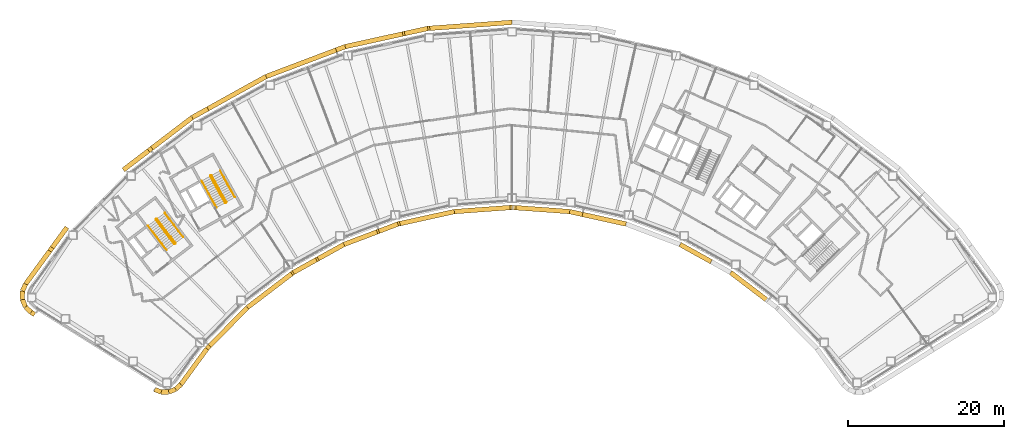
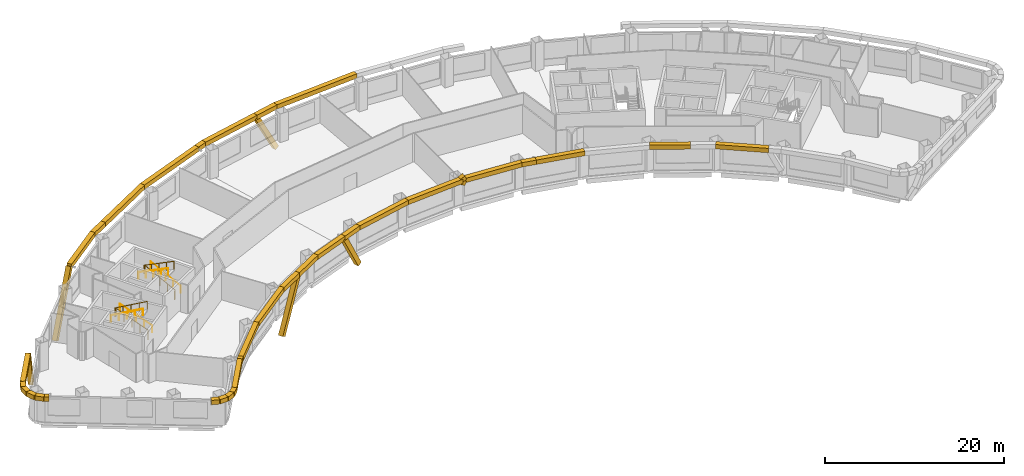
# One storey, part 11 of 13: 40 coverings, 6 railings.
"""IFC4 building model written with IfcOpenShell, lengths in metres."""

from ifc_helpers import new_model, si_unit, direction, frame, origin, origin_2d, place, context, subcontext, project, spatial, rectangle, circle, extrude, material, material_profile, profile_set, type_object, element, save


model = new_model("IFC4")

# Units and contexts
model_context = context("Model", 3, precision=1e-05, world=origin(), true_north=direction((0.0, 1.0)))
body_context = subcontext(model_context, "Body", "Model", "MODEL_VIEW")
ifc_project = project(units=[si_unit("LENGTHUNIT", "METRE"), si_unit("AREAUNIT", "SQUARE_METRE"), si_unit("VOLUMEUNIT", "CUBIC_METRE"), si_unit("PLANEANGLEUNIT", "RADIAN"), si_unit("MASSUNIT", "GRAM", prefix="KILO")], contexts=[model_context])

# Site, building, storey
site_placement = place(None, origin())
site = spatial("IfcSite", under=ifc_project, at=site_placement, CompositionType="ELEMENT")
building_placement = place(site_placement, origin())
building = spatial("IfcBuilding", under=site, at=building_placement, Name="Tuul Gate Civic Tower", CompositionType="ELEMENT")
storey_placement = place(building_placement, frame((0.0, 0.0, 111.89990234375)))
storey = spatial("IfcBuildingStorey", under=building, at=storey_placement, Name="Level 25", CompositionType="ELEMENT", Elevation=111.89990234375)

# Railings
ifc_material_1 = material(Name="Painted steel", Category="steel")
railing_type_1 = type_object("IfcRailingType", Name="Stair guard", PredefinedType="GUARDRAIL", material=ifc_material_1)
railing_1_placement = place(storey_placement, frame((-33.382080078125, -13.515380859375, 0.0)))
element("IfcRailing", 1, at=railing_1_placement, inside=storey, type_object=railing_type_1, Name="Level 25 ST-1 stair guard 1", PredefinedType="GUARDRAIL", context=body_context, shape_type="SweptSolid", body=[
    extrude(circle(Radius=0.02392578125, at=origin_2d()), frame((0.0, 0.0, 1.076171875), z_axis=(-0.795879841968, -0.605454603706, 0.0), x_axis=(0.605454603706, -0.795879841968, 0.0)), (0.0, 0.0, 1.0), 0.10009765625),
    extrude(circle(Radius=0.02392578125, at=origin_2d()), frame((-0.07958984375, -0.060546875, 1.076171875), z_axis=(0.408676696321, 0.599019267211, 0.688592241747), x_axis=(-0.826063974707, 0.563576356576, 0.0)), (0.0, 0.0, 1.0), 0.218017578125),
    extrude(circle(Radius=0.02392578125, at=origin_2d()), frame((0.009521484375, 0.070068359375, 1.22607421875), z_axis=(-0.541824460341, 0.711645023348, 0.447199748346), x_axis=(-0.795637165283, -0.60577347352, 0.0)), (0.0, 0.0, 1.0), 4.3603515625),
    extrude(circle(Radius=0.02392578125, at=origin_2d()), frame((-2.35302734375, 3.173095703125, 3.17626953125), z_axis=(-0.990893089246, 0.134650977284, 0.0), x_axis=(-0.134650977284, -0.990893089246, 0.0)), (0.0, 0.0, 1.0), 0.07080078125),
    extrude(circle(Radius=0.02392578125, at=origin_2d()), frame((-2.423095703125, 3.1826171875, 3.17626953125), z_axis=(-0.793802879778, -0.60817512943, 0.0), x_axis=(0.60817512943, -0.793802879778, 0.0)), (0.0, 0.0, 1.0), 0.099853515625),
    extrude(circle(Radius=0.02392578125, at=origin_2d()), frame((-2.50244140625, 3.121826171875, 3.17626953125), z_axis=(-0.057447065493, -0.422751481959, 0.904423031091), x_axis=(0.990893089246, -0.134650977284, 0.0)), (0.0, 0.0, 1.0), 0.165771484375),
    extrude(circle(Radius=0.02392578125, at=origin_2d()), frame((-2.511962890625, 3.0517578125, 3.326171875), z_axis=(0.541792925989, -0.711621155064, 0.447275929392), x_axis=(0.795644365679, 0.605764016233, 0.0)), (0.0, 0.0, 1.0), 4.360107421875),
    extrude(circle(Radius=0.02099609375, at=origin_2d()), origin(), (0.0, 0.0, 1.0), 1.052001953125),
    extrude(circle(Radius=0.02099609375, at=origin_2d()), frame((-0.07958984375, -0.060546875, 0.0)), (0.0, 0.0, 1.0), 1.052001953125),
    extrude(circle(Radius=0.02099609375, at=origin_2d()), frame((0.009521484375, 0.070068359375, 0.150146484375)), (0.0, 0.0, 1.0), 1.052001953125),
    extrude(circle(Radius=0.02099609375, at=origin_2d()), frame((-0.5810546875, 0.845703125, 0.6376953125)), (0.0, 0.0, 1.0), 1.052001953125),
    extrude(circle(Radius=0.02099609375, at=origin_2d()), frame((-1.171875, 1.62158203125, 1.125)), (0.0, 0.0, 1.0), 1.052001953125),
    extrude(circle(Radius=0.02099609375, at=origin_2d()), frame((-1.762451171875, 2.3974609375, 1.612548828125)), (0.0, 0.0, 1.0), 1.052001953125),
    extrude(circle(Radius=0.02099609375, at=origin_2d()), frame((-2.35302734375, 3.173095703125, 2.10009765625)), (0.0, 0.0, 1.0), 1.052001953125),
    extrude(circle(Radius=0.02099609375, at=origin_2d()), frame((-2.423095703125, 3.1826171875, 2.10009765625)), (0.0, 0.0, 1.0), 1.052001953125),
    extrude(circle(Radius=0.02099609375, at=origin_2d()), frame((-2.50244140625, 3.121826171875, 2.10009765625)), (0.0, 0.0, 1.0), 1.052001953125),
    extrude(circle(Radius=0.02099609375, at=origin_2d()), frame((-2.511962890625, 3.0517578125, 2.25)), (0.0, 0.0, 1.0), 1.052001953125),
    extrude(circle(Radius=0.02099609375, at=origin_2d()), frame((-1.92138671875, 2.276123046875, 2.737548828125)), (0.0, 0.0, 1.0), 1.052001953125),
    extrude(circle(Radius=0.02099609375, at=origin_2d()), frame((-1.330810546875, 1.50048828125, 3.22509765625)), (0.0, 0.0, 1.0), 1.052001953125),
    extrude(circle(Radius=0.02099609375, at=origin_2d()), frame((-0.740234375, 0.724609375, 3.712646484375)), (0.0, 0.0, 1.0), 1.052001953125),
    extrude(circle(Radius=0.02099609375, at=origin_2d()), frame((-0.149658203125, -0.051025390625, 4.2001953125)), (0.0, 0.0, 1.0), 1.052001953125),
])
railing_2_placement = place(storey_placement, frame((-26.857666015625, -8.247314453125, 0.0)))
element("IfcRailing", 2, at=railing_2_placement, inside=storey, type_object=railing_type_1, Name="Level 25 ST-2 stair guard 1", PredefinedType="GUARDRAIL", context=body_context, shape_type="SweptSolid", body=[
    extrude(circle(Radius=0.02392578125, at=origin_2d()), frame((0.0, 0.0, 1.076171875), z_axis=(-0.874616555828, -0.48481530532, 0.0), x_axis=(0.48481530532, -0.874616555828, 0.0)), (0.0, 0.0, 1.0), 0.10009765625),
    extrude(circle(Radius=0.02392578125, at=origin_2d()), frame((-0.087646484375, -0.048583984375, 1.076171875), z_axis=(0.490435707169, 0.534104639999, 0.688625479244), x_axis=(-0.736576986774, 0.676353711126, 0.0)), (0.0, 0.0, 1.0), 0.218017578125),
    extrude(circle(Radius=0.02392578125, at=origin_2d()), frame((0.019287109375, 0.06787109375, 1.22607421875), z_axis=(-0.43354991378, 0.782327185242, 0.447212083348), x_axis=(-0.874667644053, -0.484723129681, 0.0)), (0.0, 0.0, 1.0), 4.3603515625),
    extrude(circle(Radius=0.02392578125, at=origin_2d()), frame((-1.87109375, 3.47900390625, 3.17626953125), z_axis=(-0.961263487578, 0.275631107549, 0.0), x_axis=(-0.275631107549, -0.961263487578, 0.0)), (0.0, 0.0, 1.0), 0.07080078125),
    extrude(circle(Radius=0.02392578125, at=origin_2d()), frame((-1.939208984375, 3.49853515625, 3.17626953125), z_axis=(-0.874042088414, -0.485850211157, 0.0), x_axis=(0.485850211157, -0.874042088414, 0.0)), (0.0, 0.0, 1.0), 0.10009765625),
    extrude(circle(Radius=0.02392578125, at=origin_2d()), frame((-2.026611328125, 3.449951171875, 3.17626953125), z_axis=(-0.117866478395, -0.409586012422, 0.90462522168), x_axis=(0.961000426733, -0.276546885391, 0.0)), (0.0, 0.0, 1.0), 0.165771484375),
    extrude(circle(Radius=0.02392578125, at=origin_2d()), frame((-2.046142578125, 3.382080078125, 3.326171875), z_axis=(0.433584522764, -0.782288604346, 0.447246018574), x_axis=(0.874641102302, 0.484771020343, 0.0)), (0.0, 0.0, 1.0), 4.3603515625),
    extrude(circle(Radius=0.02099609375, at=origin_2d()), origin(), (0.0, 0.0, 1.0), 1.052001953125),
    extrude(circle(Radius=0.02099609375, at=origin_2d()), frame((-0.087646484375, -0.048583984375, 0.0)), (0.0, 0.0, 1.0), 1.052001953125),
    extrude(circle(Radius=0.02099609375, at=origin_2d()), frame((0.019287109375, 0.06787109375, 0.150146484375)), (0.0, 0.0, 1.0), 1.052001953125),
    extrude(circle(Radius=0.02099609375, at=origin_2d()), frame((-0.453369140625, 0.920654296875, 0.6376953125)), (0.0, 0.0, 1.0), 1.052001953125),
    extrude(circle(Radius=0.02099609375, at=origin_2d()), frame((-0.92578125, 1.7734375, 1.125)), (0.0, 0.0, 1.0), 1.052001953125),
    extrude(circle(Radius=0.02099609375, at=origin_2d()), frame((-1.3984375, 2.626220703125, 1.612548828125)), (0.0, 0.0, 1.0), 1.052001953125),
    extrude(circle(Radius=0.02099609375, at=origin_2d()), frame((-1.87109375, 3.47900390625, 2.10009765625)), (0.0, 0.0, 1.0), 1.052001953125),
    extrude(circle(Radius=0.02099609375, at=origin_2d()), frame((-1.939208984375, 3.49853515625, 2.10009765625)), (0.0, 0.0, 1.0), 1.052001953125),
    extrude(circle(Radius=0.02099609375, at=origin_2d()), frame((-2.026611328125, 3.449951171875, 2.10009765625)), (0.0, 0.0, 1.0), 1.052001953125),
    extrude(circle(Radius=0.02099609375, at=origin_2d()), frame((-2.046142578125, 3.382080078125, 2.25)), (0.0, 0.0, 1.0), 1.052001953125),
    extrude(circle(Radius=0.02099609375, at=origin_2d()), frame((-1.573486328125, 2.529296875, 2.737548828125)), (0.0, 0.0, 1.0), 1.052001953125),
    extrude(circle(Radius=0.02099609375, at=origin_2d()), frame((-1.100830078125, 1.676513671875, 3.22509765625)), (0.0, 0.0, 1.0), 1.052001953125),
    extrude(circle(Radius=0.02099609375, at=origin_2d()), frame((-0.628173828125, 0.82373046875, 3.712646484375)), (0.0, 0.0, 1.0), 1.052001953125),
    extrude(circle(Radius=0.02099609375, at=origin_2d()), frame((-0.155517578125, -0.029052734375, 4.2001953125)), (0.0, 0.0, 1.0), 1.052001953125),
])
ifc_material_2 = material(Name="Painted steel", Category="steel")
railing_type_2 = type_object("IfcRailingType", Name="Stair handrail", PredefinedType="HANDRAIL", material=ifc_material_2)
railing_3_placement = place(storey_placement, frame((-32.3779296875, -12.688232421875, 0.150146484375)))
element("IfcRailing", 3, at=railing_3_placement, inside=storey, type_object=railing_type_2, Name="Level 25 ST-1 stair handrail 1", PredefinedType="HANDRAIL", context=body_context, shape_type="SweptSolid", body=[
    extrude(circle(Radius=0.02392578125, at=origin_2d()), frame((0.0, 0.0, 0.8759765625), z_axis=(-0.541824460341, 0.711645023348, 0.447199748346), x_axis=(-0.795637165283, -0.60577347352, 0.0)), (0.0, 0.0, 1.0), 4.3603515625),
    extrude(circle(Radius=0.02099609375, at=origin_2d()), origin(), (0.0, 0.0, 1.0), 0.851806640625),
    extrude(circle(Radius=0.02099609375, at=origin_2d()), frame((-0.590576171875, 0.77587890625, 0.487548828125)), (0.0, 0.0, 1.0), 0.851806640625),
    extrude(circle(Radius=0.02099609375, at=origin_2d()), frame((-1.18115234375, 1.551513671875, 0.97509765625)), (0.0, 0.0, 1.0), 0.851806640625),
    extrude(circle(Radius=0.02099609375, at=origin_2d()), frame((-1.77197265625, 2.3271484375, 1.46240234375)), (0.0, 0.0, 1.0), 0.851806640625),
    extrude(circle(Radius=0.02099609375, at=origin_2d()), frame((-2.362548828125, 3.10302734375, 1.949951171875)), (0.0, 0.0, 1.0), 0.851806640625),
])
railing_4_placement = place(storey_placement, frame((-36.888671875, -11.220703125, 2.25)))
element("IfcRailing", 4, at=railing_4_placement, inside=storey, type_object=railing_type_2, Name="Level 25 ST-1 stair handrail 2", PredefinedType="HANDRAIL", context=body_context, shape_type="SweptSolid", body=[
    extrude(circle(Radius=0.02392578125, at=origin_2d()), frame((0.0, 0.0, 0.8759765625), z_axis=(0.541810893183, -0.711627203922, 0.44724454012), x_axis=(0.795637165283, 0.60577347352, 0.0)), (0.0, 0.0, 1.0), 4.3603515625),
    extrude(circle(Radius=0.02099609375, at=origin_2d()), origin(), (0.0, 0.0, 1.0), 0.851806640625),
    extrude(circle(Radius=0.02099609375, at=origin_2d()), frame((0.590576171875, -0.77587890625, 0.487548828125)), (0.0, 0.0, 1.0), 0.851806640625),
    extrude(circle(Radius=0.02099609375, at=origin_2d()), frame((1.18115234375, -1.551513671875, 0.97509765625)), (0.0, 0.0, 1.0), 0.851806640625),
    extrude(circle(Radius=0.02099609375, at=origin_2d()), frame((1.77197265625, -2.3271484375, 1.462646484375)), (0.0, 0.0, 1.0), 0.851806640625),
    extrude(circle(Radius=0.02099609375, at=origin_2d()), frame((2.362548828125, -3.10302734375, 1.9501953125)), (0.0, 0.0, 1.0), 0.851806640625),
])
railing_5_placement = place(storey_placement, frame((-25.744873046875, -7.573486328125, 0.150146484375)))
element("IfcRailing", 5, at=railing_5_placement, inside=storey, type_object=railing_type_2, Name="Level 25 ST-2 stair handrail 1", PredefinedType="HANDRAIL", context=body_context, shape_type="SweptSolid", body=[
    extrude(circle(Radius=0.02392578125, at=origin_2d()), frame((0.0, 0.0, 0.8759765625), z_axis=(-0.433595379963, 0.782308193291, 0.447201226726), x_axis=(-0.874641102302, -0.484771020343, 0.0)), (0.0, 0.0, 1.0), 4.3603515625),
    extrude(circle(Radius=0.02099609375, at=origin_2d()), origin(), (0.0, 0.0, 1.0), 0.851806640625),
    extrude(circle(Radius=0.02099609375, at=origin_2d()), frame((-0.47265625, 0.852783203125, 0.487548828125)), (0.0, 0.0, 1.0), 0.851806640625),
    extrude(circle(Radius=0.02099609375, at=origin_2d()), frame((-0.9453125, 1.70556640625, 0.97509765625)), (0.0, 0.0, 1.0), 0.851806640625),
    extrude(circle(Radius=0.02099609375, at=origin_2d()), frame((-1.41796875, 2.558349609375, 1.46240234375)), (0.0, 0.0, 1.0), 0.851806640625),
    extrude(circle(Radius=0.02099609375, at=origin_2d()), frame((-1.890625, 3.4111328125, 1.949951171875)), (0.0, 0.0, 1.0), 0.851806640625),
])
railing_6_placement = place(storey_placement, frame((-29.9970703125, -5.47119140625, 2.25)))
element("IfcRailing", 6, at=railing_6_placement, inside=storey, type_object=railing_type_2, Name="Level 25 ST-2 stair handrail 2", PredefinedType="HANDRAIL", context=body_context, shape_type="SweptSolid", body=[
    extrude(circle(Radius=0.02392578125, at=origin_2d()), frame((0.0, 0.0, 0.8759765625), z_axis=(0.433584522764, -0.782288604346, 0.447246018574), x_axis=(0.874641102302, 0.484771020343, 0.0)), (0.0, 0.0, 1.0), 4.3603515625),
    extrude(circle(Radius=0.02099609375, at=origin_2d()), origin(), (0.0, 0.0, 1.0), 0.851806640625),
    extrude(circle(Radius=0.02099609375, at=origin_2d()), frame((0.47265625, -0.852783203125, 0.487548828125)), (0.0, 0.0, 1.0), 0.851806640625),
    extrude(circle(Radius=0.02099609375, at=origin_2d()), frame((0.9453125, -1.70556640625, 0.97509765625)), (0.0, 0.0, 1.0), 0.851806640625),
    extrude(circle(Radius=0.02099609375, at=origin_2d()), frame((1.41796875, -2.558349609375, 1.462646484375)), (0.0, 0.0, 1.0), 0.851806640625),
    extrude(circle(Radius=0.02099609375, at=origin_2d()), frame((1.890625, -3.4111328125, 1.9501953125)), (0.0, 0.0, 1.0), 0.851806640625),
])

# Coverings
ifc_material_3 = material(Name="Terracotta baguette", Category="masonry")
ifc_material_profile = material_profile(ifc_material_3, rectangle(XDim=0.60009765625, YDim=0.60009765625, at=origin_2d()), Name="Terracotta baguette screen frame")
ifc_profile_set = profile_set([ifc_material_profile], Name="Terracotta baguette")
covering_type = type_object("IfcCoveringType", Name="Terracotta baguette screen frame", PredefinedType="CLADDING", material=ifc_profile_set)
covering_1_placement = place(storey_placement, frame((-0.994384765625, 14.10498046875, -1.754638671875), z_axis=(-0.464036135768, -0.102258892395, 0.879894075232), x_axis=(0.215204911668, -0.976568915128, 0.0)))
element("IfcCovering", 7, at=covering_1_placement, inside=storey, type_object=covering_type, Name="Baguette 82", PredefinedType="CLADDING", context=body_context, shape_type="SweptSolid", body=[
    extrude(rectangle(XDim=0.60009765625, YDim=0.60009765625, at=origin_2d()), origin(), (0.0, 0.0, 1.0), 6.369873046875),
])
covering_2_placement = place(storey_placement, frame((-3.9501953125, 13.45361328125, 3.85009765625), z_axis=(-0.976563721575, -0.21522847791, 0.0), x_axis=(0.21522847791, -0.976563721575, 0.0)))
element("IfcCovering", 8, at=covering_2_placement, inside=storey, type_object=covering_type, Name="Baguette 89", PredefinedType="CLADDING", context=body_context, shape_type="SweptSolid", body=[
    extrude(rectangle(XDim=0.60009765625, YDim=0.60009765625, at=origin_2d()), origin(), (0.0, 0.0, 1.0), 7.823486328125),
])
covering_3_placement = place(storey_placement, frame((-11.59033203125, 11.769775390625, 3.85009765625), z_axis=(-0.935361445444, -0.353693322493, 0.0), x_axis=(0.353693322493, -0.935361445444, 0.0)))
element("IfcCovering", 9, at=covering_3_placement, inside=storey, type_object=covering_type, Name="Baguette 90", PredefinedType="CLADDING", context=body_context, shape_type="SweptSolid", body=[
    extrude(rectangle(XDim=0.60009765625, YDim=0.60009765625, at=origin_2d()), origin(), (0.0, 0.0, 1.0), 1.248779296875),
])
covering_4_placement = place(storey_placement, frame((-29.2119140625, 3.791015625, 3.85009765625), z_axis=(-0.874605814424, -0.484834682521, 0.0), x_axis=(0.484834682521, -0.874605814424, 0.0)))
element("IfcCovering", 10, at=covering_4_placement, inside=storey, type_object=covering_type, Name="Baguette 107", PredefinedType="CLADDING", context=body_context, shape_type="SweptSolid", body=[
    extrude(rectangle(XDim=0.60009765625, YDim=0.60009765625, at=origin_2d()), origin(), (0.0, 0.0, 1.0), 2.308837890625),
])
covering_5_placement = place(storey_placement, frame((-31.231201171875, 2.671630859375, 3.85009765625), z_axis=(-0.795608182255, -0.605811538623, 0.0), x_axis=(0.605811538623, -0.795608182255, 0.0)))
element("IfcCovering", 11, at=covering_5_placement, inside=storey, type_object=covering_type, Name="Baguette 108", PredefinedType="CLADDING", context=body_context, shape_type="SweptSolid", body=[
    extrude(rectangle(XDim=0.60009765625, YDim=0.60009765625, at=origin_2d()), origin(), (0.0, 0.0, 1.0), 6.763427734375),
])
covering_6_placement = place(storey_placement, frame((-36.6123046875, -1.42578125, 3.85009765625), z_axis=(-0.37804114124, -0.287851609909, -0.879901327538), x_axis=(0.60580385418, -0.795614033474, 0.0)))
element("IfcCovering", 12, at=covering_6_placement, inside=storey, type_object=covering_type, Name="Baguette 111", PredefinedType="CLADDING", context=body_context, shape_type="SweptSolid", body=[
    extrude(rectangle(XDim=0.60009765625, YDim=0.60009765625, at=origin_2d()), origin(), (0.0, 0.0, 1.0), 8.602783203125),
])
covering_7_placement = place(storey_placement, frame((-47.460693359375, -11.65185546875, -2.0859375), z_axis=(-0.281403184442, -0.38521692185, 0.878874377204), x_axis=(0.807492455087, -0.589877898363, 0.0)))
element("IfcCovering", 13, at=covering_7_placement, inside=storey, type_object=covering_type, Name="Baguette 124", PredefinedType="CLADDING", context=body_context, shape_type="SweptSolid", body=[
    extrude(rectangle(XDim=0.60009765625, YDim=0.60009765625, at=origin_2d()), origin(), (0.0, 0.0, 1.0), 6.754150390625),
])
covering_8_placement = place(storey_placement, frame((-49.361328125, -14.253662109375, 3.85009765625), z_axis=(-0.58987667906, -0.807493345794, 0.0), x_axis=(0.807493345794, -0.58987667906, 0.0)))
element("IfcCovering", 14, at=covering_8_placement, inside=storey, type_object=covering_type, Name="Baguette 135", PredefinedType="CLADDING", context=body_context, shape_type="SweptSolid", body=[
    extrude(rectangle(XDim=0.60009765625, YDim=0.60009765625, at=origin_2d()), origin(), (0.0, 0.0, 1.0), 5.512939453125),
])
covering_9_placement = place(storey_placement, frame((-52.61328125, -18.705322265625, 3.85009765625), z_axis=(-0.411904289645, -0.911227115582, 0.0), x_axis=(0.911227115582, -0.411904289645, 0.0)))
element("IfcCovering", 15, at=covering_9_placement, inside=storey, type_object=covering_type, Name="Baguette 136", PredefinedType="CLADDING", context=body_context, shape_type="SweptSolid", body=[
    extrude(rectangle(XDim=0.60009765625, YDim=0.60009765625, at=origin_2d()), origin(), (0.0, 0.0, 1.0), 0.988525390625),
])
covering_10_placement = place(storey_placement, frame((-53.0205078125, -19.606201171875, 3.85009765625), z_axis=(-0.014657151856, -0.99989257818, 0.0), x_axis=(0.99989257818, -0.014657151856, 0.0)))
element("IfcCovering", 16, at=covering_10_placement, inside=storey, type_object=covering_type, Name="Baguette 137", PredefinedType="CLADDING", context=body_context, shape_type="SweptSolid", body=[
    extrude(rectangle(XDim=0.60009765625, YDim=0.60009765625, at=origin_2d()), origin(), (0.0, 0.0, 1.0), 1.06591796875),
])
covering_11_placement = place(storey_placement, frame((-53.0361328125, -20.672119140625, 3.85009765625), z_axis=(0.385590096332, -0.922670188968, 0.0), x_axis=(0.922670188968, 0.385590096332, 0.0)))
element("IfcCovering", 17, at=covering_11_placement, inside=storey, type_object=covering_type, Name="Baguette 138", PredefinedType="CLADDING", context=body_context, shape_type="SweptSolid", body=[
    extrude(rectangle(XDim=0.60009765625, YDim=0.60009765625, at=origin_2d()), origin(), (0.0, 0.0, 1.0), 1.06689453125),
])
covering_12_placement = place(storey_placement, frame((-52.624755859375, -21.656494140625, 3.85009765625), z_axis=(0.722255502574, -0.691626336255, 0.0), x_axis=(0.691626336255, 0.722255502574, 0.0)))
element("IfcCovering", 18, at=covering_12_placement, inside=storey, type_object=covering_type, Name="Baguette 139", PredefinedType="CLADDING", context=body_context, shape_type="SweptSolid", body=[
    extrude(rectangle(XDim=0.60009765625, YDim=0.60009765625, at=origin_2d()), origin(), (0.0, 0.0, 1.0), 0.98828125),
])
covering_13_placement = place(storey_placement, frame((-51.910888671875, -22.340087890625, 3.85009765625), z_axis=(0.848100314171, -0.529835688778, 0.0), x_axis=(0.529835688778, 0.848100314171, 0.0)))
element("IfcCovering", 19, at=covering_13_placement, inside=storey, type_object=covering_type, Name="Baguette 140", PredefinedType="CLADDING", context=body_context, shape_type="SweptSolid", body=[
    extrude(rectangle(XDim=0.60009765625, YDim=0.60009765625, at=origin_2d()), origin(), (0.0, 0.0, 1.0), 0.537841796875),
])
covering_14_placement = place(storey_placement, frame((-36.0556640625, -32.247314453125, 3.85009765625), z_axis=(0.931801188997, -0.362969067807, 0.0), x_axis=(0.362969067807, 0.931801188997, 0.0)))
element("IfcCovering", 20, at=covering_14_placement, inside=storey, type_object=covering_type, Name="Baguette 165", PredefinedType="CLADDING", context=body_context, shape_type="SweptSolid", body=[
    extrude(rectangle(XDim=0.60009765625, YDim=0.60009765625, at=origin_2d()), origin(), (0.0, 0.0, 1.0), 0.9013671875),
])
covering_15_placement = place(storey_placement, frame((-35.2158203125, -32.574462890625, 3.85009765625), z_axis=(0.99999546609, 0.003011278693, 0.0), x_axis=(-0.003011278693, 0.99999546609, 0.0)))
element("IfcCovering", 21, at=covering_15_placement, inside=storey, type_object=covering_type, Name="Baguette 166", PredefinedType="CLADDING", context=body_context, shape_type="SweptSolid", body=[
    extrude(rectangle(XDim=0.60009765625, YDim=0.60009765625, at=origin_2d()), origin(), (0.0, 0.0, 1.0), 0.972900390625),
])
covering_16_placement = place(storey_placement, frame((-34.242919921875, -32.571533203125, 3.85009765625), z_axis=(0.929715491451, 0.368278569775, 0.0), x_axis=(-0.368278569775, 0.929715491451, 0.0)))
element("IfcCovering", 22, at=covering_16_placement, inside=storey, type_object=covering_type, Name="Baguette 167", PredefinedType="CLADDING", context=body_context, shape_type="SweptSolid", body=[
    extrude(rectangle(XDim=0.60009765625, YDim=0.60009765625, at=origin_2d()), origin(), (0.0, 0.0, 1.0), 0.974609375),
])
covering_17_placement = place(storey_placement, frame((-33.3369140625, -32.212646484375, 3.85009765625), z_axis=(0.729233015542, 0.684265452177, 0.0), x_axis=(-0.684265452177, 0.729233015542, 0.0)))
element("IfcCovering", 23, at=covering_17_placement, inside=storey, type_object=covering_type, Name="Baguette 168", PredefinedType="CLADDING", context=body_context, shape_type="SweptSolid", body=[
    extrude(rectangle(XDim=0.60009765625, YDim=0.60009765625, at=origin_2d()), origin(), (0.0, 0.0, 1.0), 0.9013671875),
])
covering_18_placement = place(storey_placement, frame((-32.6796875, -31.595947265625, 3.85009765625), z_axis=(0.589834173265, 0.807524394708, 0.0), x_axis=(-0.807524394708, 0.589834173265, 0.0)))
element("IfcCovering", 24, at=covering_18_placement, inside=storey, type_object=covering_type, Name="Baguette 169", PredefinedType="CLADDING", context=body_context, shape_type="SweptSolid", body=[
    extrude(rectangle(XDim=0.60009765625, YDim=0.60009765625, at=origin_2d()), origin(), (0.0, 0.0, 1.0), 5.67138671875),
])
covering_19_placement = place(storey_placement, frame((-29.33447265625, -27.01611328125, 3.85009765625), z_axis=(0.70038659818, 0.713763695553, 0.0), x_axis=(-0.713763695553, 0.70038659818, 0.0)))
element("IfcCovering", 25, at=covering_19_placement, inside=storey, type_object=covering_type, Name="Baguette 170", PredefinedType="CLADDING", context=body_context, shape_type="SweptSolid", body=[
    extrude(rectangle(XDim=0.60009765625, YDim=0.60009765625, at=origin_2d()), origin(), (0.0, 0.0, 1.0), 0.510986328125),
])
covering_20_placement = place(storey_placement, frame((-18.239990234375, -17.224609375, -2.5625), z_axis=(0.40772187358, 0.226006920423, 0.884694153776), x_axis=(-0.484814535544, 0.874616982527, 0.0)))
element("IfcCovering", 26, at=covering_20_placement, inside=storey, type_object=covering_type, Name="Baguette 189", PredefinedType="CLADDING", context=body_context, shape_type="SweptSolid", body=[
    extrude(rectangle(XDim=0.60009765625, YDim=0.60009765625, at=origin_2d()), origin(), (0.0, 0.0, 1.0), 7.248291015625),
])
covering_21_placement = place(storey_placement, frame((-15.28466796875, -15.58642578125, 3.85009765625), z_axis=(0.874641542533, 0.484770226062, 0.0), x_axis=(-0.484770226062, 0.874641542533, 0.0)))
element("IfcCovering", 27, at=covering_21_placement, inside=storey, type_object=covering_type, Name="Baguette 196", PredefinedType="CLADDING", context=body_context, shape_type="SweptSolid", body=[
    extrude(rectangle(XDim=0.60009765625, YDim=0.60009765625, at=origin_2d()), origin(), (0.0, 0.0, 1.0), 4.0390625),
])
covering_22_placement = place(storey_placement, frame((-11.751953125, -13.62841796875, 3.85009765625), z_axis=(0.935352040311, 0.353718193887, 0.0), x_axis=(-0.353718193887, 0.935352040311, 0.0)))
element("IfcCovering", 28, at=covering_22_placement, inside=storey, type_object=covering_type, Name="Baguette 197", PredefinedType="CLADDING", context=body_context, shape_type="SweptSolid", body=[
    extrude(rectangle(XDim=0.60009765625, YDim=0.60009765625, at=origin_2d()), origin(), (0.0, 0.0, 1.0), 4.812744140625),
])
covering_23_placement = place(storey_placement, frame((-7.250244140625, -11.926025390625, 3.85009765625), z_axis=(0.436035973669, 0.16487323561, -0.88469737529), x_axis=(-0.353679388764, 0.935366714163, 0.0)))
element("IfcCovering", 29, at=covering_23_placement, inside=storey, type_object=covering_type, Name="Baguette 200", PredefinedType="CLADDING", context=body_context, shape_type="SweptSolid", body=[
    extrude(rectangle(XDim=0.60009765625, YDim=0.60009765625, at=origin_2d()), origin(), (0.0, 0.0, 1.0), 5.58837890625),
])
for number, where, z_axis, x_axis, name in (
    (30, (9.8291015625, -8.873046875, 3.350830078125), (0.464703036957, -0.03331669818, 0.884839581543), (0.071511047668, 0.997439807738, 0.0), "Baguette 215"),
    (31, (9.8291015625, -8.873046875, 4.349365234375), (0.464703036957, -0.03331669818, -0.884839581543), (0.071511047668, 0.997439807738, 0.0), "Baguette 217"),
):
    element("IfcCovering", number, at=place(storey_placement, frame(where, z_axis=z_axis, x_axis=x_axis)), inside=storey, type_object=covering_type, Name=name, PredefinedType="CLADDING", context=body_context, shape_type="SweptSolid", body=[
        extrude(rectangle(XDim=0.60009765625, YDim=0.60009765625, at=origin_2d()), origin(), (0.0, 0.0, 1.0), 0.564208984375),
    ])
covering_24_placement = place(storey_placement, frame((10.09130859375, -8.891845703125, 3.85009765625), z_axis=(0.997392632394, -0.072166036657, 0.0), x_axis=(0.072166036657, 0.997392632394, 0.0)))
element("IfcCovering", 32, at=covering_24_placement, inside=storey, type_object=covering_type, Name="Baguette 222", PredefinedType="CLADDING", context=body_context, shape_type="SweptSolid", body=[
    extrude(rectangle(XDim=0.60009765625, YDim=0.60009765625, at=origin_2d()), origin(), (0.0, 0.0, 1.0), 7.155029296875),
])
covering_25_placement = place(storey_placement, frame((17.227783203125, -9.408203125, 3.85009765625), z_axis=(0.97656469943, -0.215224041006, 0.0), x_axis=(0.215224041006, 0.97656469943, 0.0)))
element("IfcCovering", 33, at=covering_25_placement, inside=storey, type_object=covering_type, Name="Baguette 223", PredefinedType="CLADDING", context=body_context, shape_type="SweptSolid", body=[
    extrude(rectangle(XDim=0.60009765625, YDim=0.60009765625, at=origin_2d()), origin(), (0.0, 0.0, 1.0), 1.697021484375),
])
covering_26_placement = place(storey_placement, frame((37.89794921875, -17.224609375, 3.85009765625), z_axis=(0.795578368083, -0.605850691373, 0.0), x_axis=(0.605850691373, 0.795578368083, 0.0)))
element("IfcCovering", 34, at=covering_26_placement, inside=storey, type_object=covering_type, Name="Baguette 243", PredefinedType="CLADDING", context=body_context, shape_type="SweptSolid", body=[
    extrude(rectangle(XDim=0.60009765625, YDim=0.60009765625, at=origin_2d()), origin(), (0.0, 0.0, 1.0), 5.9990234375),
])
covering_27_placement = place(storey_placement, frame((9.8291015625, 14.889892578125, 3.85009765625), z_axis=(-0.997380798876, -0.072329399508, 0.0), x_axis=(0.072329399508, -0.997380798876, 0.0)))
element("IfcCovering", 35, at=covering_27_placement, inside=storey, type_object=covering_type, Name="Baguette 313", PredefinedType="CLADDING", context=body_context, shape_type="SweptSolid", body=[
    extrude(rectangle(XDim=0.60009765625, YDim=0.60009765625, at=origin_2d()), origin(), (0.0, 0.0, 1.0), 10.851806640625),
])
covering_28_placement = place(storey_placement, frame((-0.994384765625, 14.10498046875, 3.85009765625), z_axis=(-0.976568915128, -0.215204911668, 0.0), x_axis=(0.215204911668, -0.976568915128, 0.0)))
element("IfcCovering", 36, at=covering_28_placement, inside=storey, type_object=covering_type, Name="Baguette 314", PredefinedType="CLADDING", context=body_context, shape_type="SweptSolid", body=[
    extrude(rectangle(XDim=0.60009765625, YDim=0.60009765625, at=origin_2d()), origin(), (0.0, 0.0, 1.0), 3.026611328125),
])
covering_29_placement = place(storey_placement, frame((-12.75830078125, 11.328125, 3.85009765625), z_axis=(-0.935396057165, -0.353601776352, 0.0), x_axis=(0.353601776352, -0.935396057165, 0.0)))
element("IfcCovering", 37, at=covering_29_placement, inside=storey, type_object=covering_type, Name="Baguette 321", PredefinedType="CLADDING", context=body_context, shape_type="SweptSolid", body=[
    extrude(rectangle(XDim=0.60009765625, YDim=0.60009765625, at=origin_2d()), origin(), (0.0, 0.0, 1.0), 9.603271484375),
])
covering_30_placement = place(storey_placement, frame((-21.7412109375, 7.932373046875, 3.85009765625), z_axis=(-0.874605853988, -0.48483461115, 0.0), x_axis=(0.48483461115, -0.874605853988, 0.0)))
element("IfcCovering", 38, at=covering_30_placement, inside=storey, type_object=covering_type, Name="Baguette 322", PredefinedType="CLADDING", context=body_context, shape_type="SweptSolid", body=[
    extrude(rectangle(XDim=0.60009765625, YDim=0.60009765625, at=origin_2d()), origin(), (0.0, 0.0, 1.0), 8.541748046875),
])
covering_31_placement = place(storey_placement, frame((-28.9765625, -26.6513671875, 3.85009765625), z_axis=(0.70002016801, 0.714123073692, 0.0), x_axis=(-0.714123073692, 0.70002016801, 0.0)))
element("IfcCovering", 39, at=covering_31_placement, inside=storey, type_object=covering_type, Name="Baguette 347", PredefinedType="CLADDING", context=body_context, shape_type="SweptSolid", body=[
    extrude(rectangle(XDim=0.60009765625, YDim=0.60009765625, at=origin_2d()), origin(), (0.0, 0.0, 1.0), 6.9072265625),
])
covering_32_placement = place(storey_placement, frame((-24.141357421875, -21.71875, 3.85009765625), z_axis=(0.795570717168, 0.605860738111, 0.0), x_axis=(-0.605860738111, 0.795570717168, 0.0)))
element("IfcCovering", 40, at=covering_32_placement, inside=storey, type_object=covering_type, Name="Baguette 348", PredefinedType="CLADDING", context=body_context, shape_type="SweptSolid", body=[
    extrude(rectangle(XDim=0.60009765625, YDim=0.60009765625, at=origin_2d()), origin(), (0.0, 0.0, 1.0), 7.417724609375),
])
covering_33_placement = place(storey_placement, frame((-18.239990234375, -17.224609375, 3.85009765625), z_axis=(0.874616982527, 0.484814535544, 0.0), x_axis=(-0.484814535544, 0.874616982527, 0.0)))
element("IfcCovering", 41, at=covering_33_placement, inside=storey, type_object=covering_type, Name="Baguette 349", PredefinedType="CLADDING", context=body_context, shape_type="SweptSolid", body=[
    extrude(rectangle(XDim=0.60009765625, YDim=0.60009765625, at=origin_2d()), origin(), (0.0, 0.0, 1.0), 3.37890625),
])
covering_34_placement = place(storey_placement, frame((-7.250244140625, -11.926025390625, 3.85009765625), z_axis=(0.935366714163, 0.353679388764, 0.0), x_axis=(-0.353679388764, 0.935366714163, 0.0)))
element("IfcCovering", 42, at=covering_34_placement, inside=storey, type_object=covering_type, Name="Baguette 350", PredefinedType="CLADDING", context=body_context, shape_type="SweptSolid", body=[
    extrude(rectangle(XDim=0.60009765625, YDim=0.60009765625, at=origin_2d()), origin(), (0.0, 0.0, 1.0), 2.605224609375),
])
covering_35_placement = place(storey_placement, frame((-4.8134765625, -11.004638671875, 3.85009765625), z_axis=(0.976565804128, 0.215219028452, 0.0), x_axis=(-0.215219028452, 0.976565804128, 0.0)))
element("IfcCovering", 43, at=covering_35_placement, inside=storey, type_object=covering_type, Name="Baguette 351", PredefinedType="CLADDING", context=body_context, shape_type="SweptSolid", body=[
    extrude(rectangle(XDim=0.60009765625, YDim=0.60009765625, at=origin_2d()), origin(), (0.0, 0.0, 1.0), 7.417724609375),
])
covering_36_placement = place(storey_placement, frame((2.430419921875, -9.408203125, 3.85009765625), z_axis=(0.997394311548, 0.072142825637, 0.0), x_axis=(-0.072142825637, 0.997394311548, 0.0)))
element("IfcCovering", 44, at=covering_36_placement, inside=storey, type_object=covering_type, Name="Baguette 352", PredefinedType="CLADDING", context=body_context, shape_type="SweptSolid", body=[
    extrude(rectangle(XDim=0.60009765625, YDim=0.60009765625, at=origin_2d()), origin(), (0.0, 0.0, 1.0), 7.41796875),
])
covering_37_placement = place(storey_placement, frame((18.885009765625, -9.7734375, 3.85009765625), z_axis=(0.976564154982, -0.215226511388, 0.0), x_axis=(0.215226511388, 0.976564154982, 0.0)))
element("IfcCovering", 45, at=covering_37_placement, inside=storey, type_object=covering_type, Name="Baguette 360", PredefinedType="CLADDING", context=body_context, shape_type="SweptSolid", body=[
    extrude(rectangle(XDim=0.60009765625, YDim=0.60009765625, at=origin_2d()), origin(), (0.0, 0.0, 1.0), 5.720458984375),
])
covering_38_placement = place(storey_placement, frame((31.409912109375, -13.62841796875, 3.85009765625), z_axis=(0.874636136261, -0.484779980141, 0.0), x_axis=(0.484779980141, 0.874636136261, 0.0)))
element("IfcCovering", 46, at=covering_38_placement, inside=storey, type_object=covering_type, Name="Baguette 362", PredefinedType="CLADDING", context=body_context, shape_type="SweptSolid", body=[
    extrude(rectangle(XDim=0.60009765625, YDim=0.60009765625, at=origin_2d()), origin(), (0.0, 0.0, 1.0), 4.565185546875),
])

save(model, "model.ifc")
